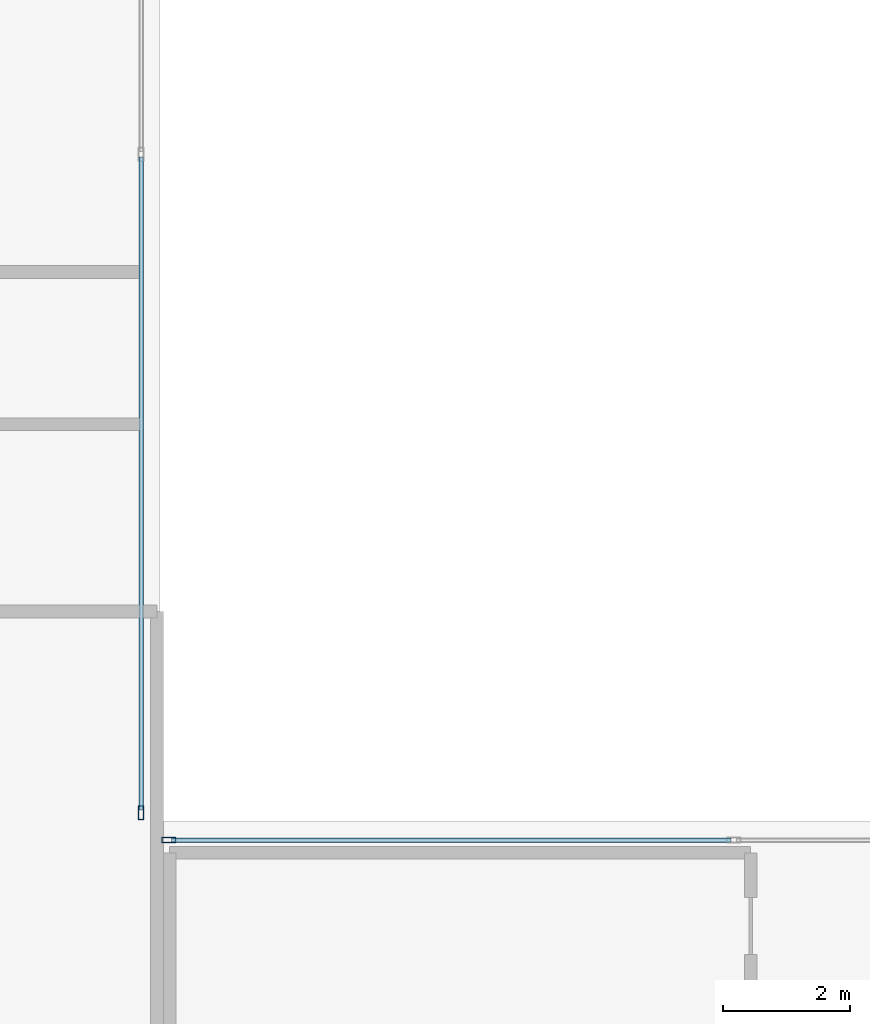
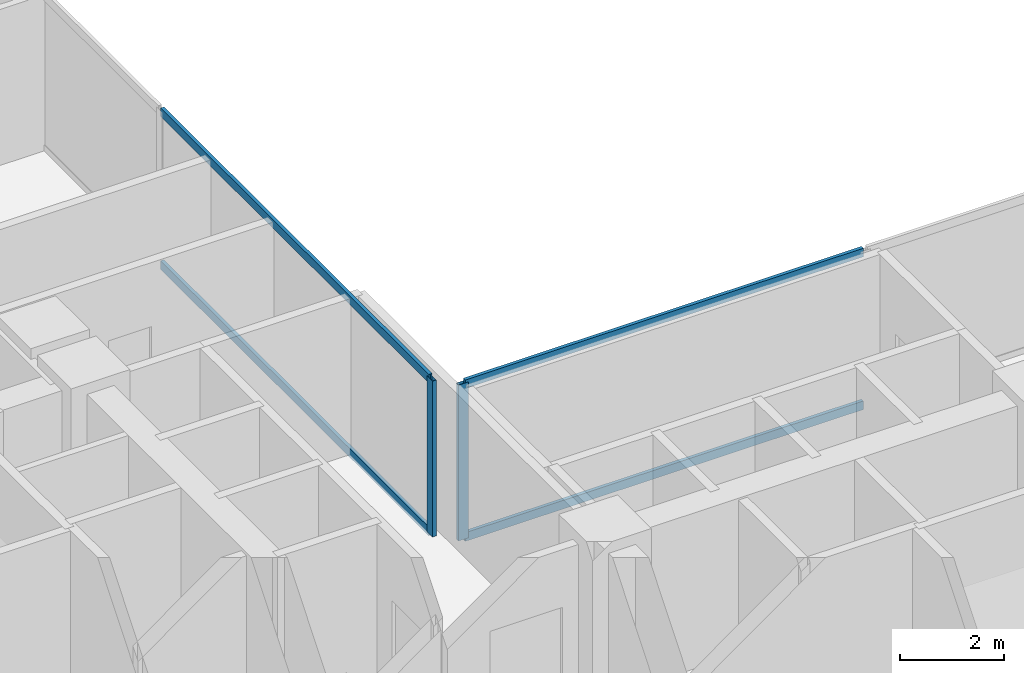
# One storey, part 7 of 25: 6 members, 2 elements without a shape of their own.
"""IFC4 building model written with IfcOpenShell, lengths in metres."""

from ifc_helpers import new_model, si_unit, direction, frame, origin, origin_2d, place, context, subcontext, project, spatial, hollow_rectangle, extrude, material, layer, layer_set, material_profile, profile_set, type_object, element, aggregate, save


model = new_model("IFC4")

# Units and contexts
model_context = context("Model", 3, precision=1e-05, world=origin(), true_north=direction((0.0, 1.0)))
body_context = subcontext(model_context, "Body", "Model", "MODEL_VIEW")
ifc_project = project(units=[si_unit("LENGTHUNIT", "METRE"), si_unit("AREAUNIT", "SQUARE_METRE"), si_unit("VOLUMEUNIT", "CUBIC_METRE"), si_unit("PLANEANGLEUNIT", "RADIAN"), si_unit("MASSUNIT", "GRAM", prefix="KILO"), si_unit("THERMODYNAMICTEMPERATUREUNIT", "KELVIN"), si_unit("POWERUNIT", "WATT")], contexts=[model_context])

# Site, building, storey
site_placement = place(None, origin())
site = spatial("IfcSite", under=ifc_project, at=site_placement, CompositionType="ELEMENT")
building_placement = place(site_placement, origin())
building = spatial("IfcBuilding", under=site, at=building_placement, Name="Svarakhadi Broadcast Tower", CompositionType="ELEMENT")
storey_placement = place(building_placement, frame((0.0, 0.0, 63.60009765625)))
storey = spatial("IfcBuildingStorey", under=building, at=storey_placement, Name="L14", CompositionType="ELEMENT", Elevation=63.60009765625)

# Curtain wall, member
ifc_material = material(Name="Anodised Bronze Aluminium AA 6063-T6", Category="aluminium")
ifc_layer = layer(ifc_material, 0.219970703125)
ifc_layer_set = layer_set([ifc_layer], Name="Anodised Bronze Aluminium AA 6063-T6")
curtain_wall_type = type_object("IfcCurtainWallType", Name="CW_Sys_02", PredefinedType="NOTDEFINED", material=ifc_layer_set)
curtain_wall_1_placement = place(storey_placement, origin())
curtain_wall_1 = element("IfcCurtainWall", 1, at=curtain_wall_1_placement, inside=storey, type_object=curtain_wall_type, Name="L14 Unitised Facade Curtain Wall 09", PredefinedType="NOTDEFINED")
ifc_material_profile_1 = material_profile(ifc_material, hollow_rectangle(XDim=0.0849609375, YDim=0.219970703125, WallThickness=0.006103515625, at=origin_2d()), Name="ALU MULLION 220x85x6")
ifc_profile_set_1 = profile_set([ifc_material_profile_1], Name="Anodised Bronze Aluminium AA 6063-T6")
member_type_1 = type_object("IfcMemberType", Name="CW_Sys_02_Mul", PredefinedType="MULLION", material=ifc_profile_set_1)
member_1_placement = place(storey_placement, frame((23.699951171875, 24.132568359375, 0.0), z_axis=(0.0, 0.0, 1.0), x_axis=(1.0, 0.0, 0.0)))
member_1 = element("IfcMember", 2, at=member_1_placement, type_object=member_type_1, Name="CW-02 mullion 3", PredefinedType="MULLION", context=body_context, shape_type="SweptSolid", body=[
    extrude(hollow_rectangle(XDim=0.0849609375, YDim=0.219970703125, WallThickness=0.006103515625, at=origin_2d()), origin(), (0.0, 0.0, 1.0), 3.64990234375),
])

curtain_wall_2_placement = place(storey_placement, origin())
curtain_wall_2 = element("IfcCurtainWall", 3, at=curtain_wall_2_placement, inside=storey, type_object=curtain_wall_type, Name="L14 Unitised Facade Curtain Wall 10", PredefinedType="NOTDEFINED")
member_2_placement = place(storey_placement, frame((24.132568359375, 23.699951171875, 0.0), z_axis=(0.0, 0.0, 1.0), x_axis=(0.0, 1.0, 0.0)))
member_2 = element("IfcMember", 4, at=member_2_placement, type_object=member_type_1, Name="CW-02 mullion 1", PredefinedType="MULLION", context=body_context, shape_type="SweptSolid", body=[
    extrude(hollow_rectangle(XDim=0.0849609375, YDim=0.219970703125, WallThickness=0.006103515625, at=origin_2d()), origin(), (0.0, 0.0, 1.0), 3.64990234375),
])

# Member
ifc_material_profile_2 = material_profile(ifc_material, hollow_rectangle(XDim=0.074951171875, YDim=0.199951171875, WallThickness=0.0048828125, at=origin_2d()), Name="ALU TRANSOM 200x75x5")
ifc_profile_set_2 = profile_set([ifc_material_profile_2], Name="Anodised Bronze Aluminium AA 6063-T6")
member_type_2 = type_object("IfcMemberType", Name="CW_Sys_02_Trn", PredefinedType="USERDEFINED", material=ifc_profile_set_2)
member_3_placement = place(storey_placement, frame((23.699951171875, 34.45751953125, 0.037353515625), z_axis=(0.0, -1.0, 0.0), x_axis=(1.0, 0.0, 0.0)))
member_3 = element("IfcMember", 5, at=member_3_placement, type_object=member_type_2, Name="CW-02 transom 2.1", ObjectType="TRANSOM", PredefinedType="USERDEFINED", context=body_context, shape_type="SweptSolid", body=[
    extrude(hollow_rectangle(XDim=0.074951171875, YDim=0.199951171875, WallThickness=0.0048828125, at=origin_2d()), origin(), (0.0, 0.0, 1.0), 10.282470703125),
])

member_4_placement = place(storey_placement, frame((23.699951171875, 34.45751953125, 3.6123046875), z_axis=(0.0, -1.0, 0.0), x_axis=(1.0, 0.0, 0.0)))
member_4 = element("IfcMember", 6, at=member_4_placement, type_object=member_type_2, Name="CW-02 transom 2.2", ObjectType="TRANSOM", PredefinedType="USERDEFINED", context=body_context, shape_type="SweptSolid", body=[
    extrude(hollow_rectangle(XDim=0.074951171875, YDim=0.199951171875, WallThickness=0.0048828125, at=origin_2d()), origin(), (0.0, 0.0, 1.0), 10.282470703125),
])

aggregate(curtain_wall_1, [member_1, member_3, member_4])

member_5_placement = place(storey_placement, frame((24.175048828125, 23.699951171875, 0.037353515625), z_axis=(1.0, 0.0, 0.0), x_axis=(0.0, 1.0, 0.0)))
member_5 = element("IfcMember", 7, at=member_5_placement, type_object=member_type_2, Name="CW-02 transom 1.1", ObjectType="TRANSOM", PredefinedType="USERDEFINED", context=body_context, shape_type="SweptSolid", body=[
    extrude(hollow_rectangle(XDim=0.074951171875, YDim=0.199951171875, WallThickness=0.0048828125, at=origin_2d()), origin(), (0.0, 0.0, 1.0), 8.8125),
])

member_6_placement = place(storey_placement, frame((24.175048828125, 23.699951171875, 3.6123046875), z_axis=(1.0, 0.0, 0.0), x_axis=(0.0, 1.0, 0.0)))
member_6 = element("IfcMember", 8, at=member_6_placement, type_object=member_type_2, Name="CW-02 transom 1.2", ObjectType="TRANSOM", PredefinedType="USERDEFINED", context=body_context, shape_type="SweptSolid", body=[
    extrude(hollow_rectangle(XDim=0.074951171875, YDim=0.199951171875, WallThickness=0.0048828125, at=origin_2d()), origin(), (0.0, 0.0, 1.0), 8.8125),
])

aggregate(curtain_wall_2, [member_2, member_5, member_6])

save(model, "model.ifc")
